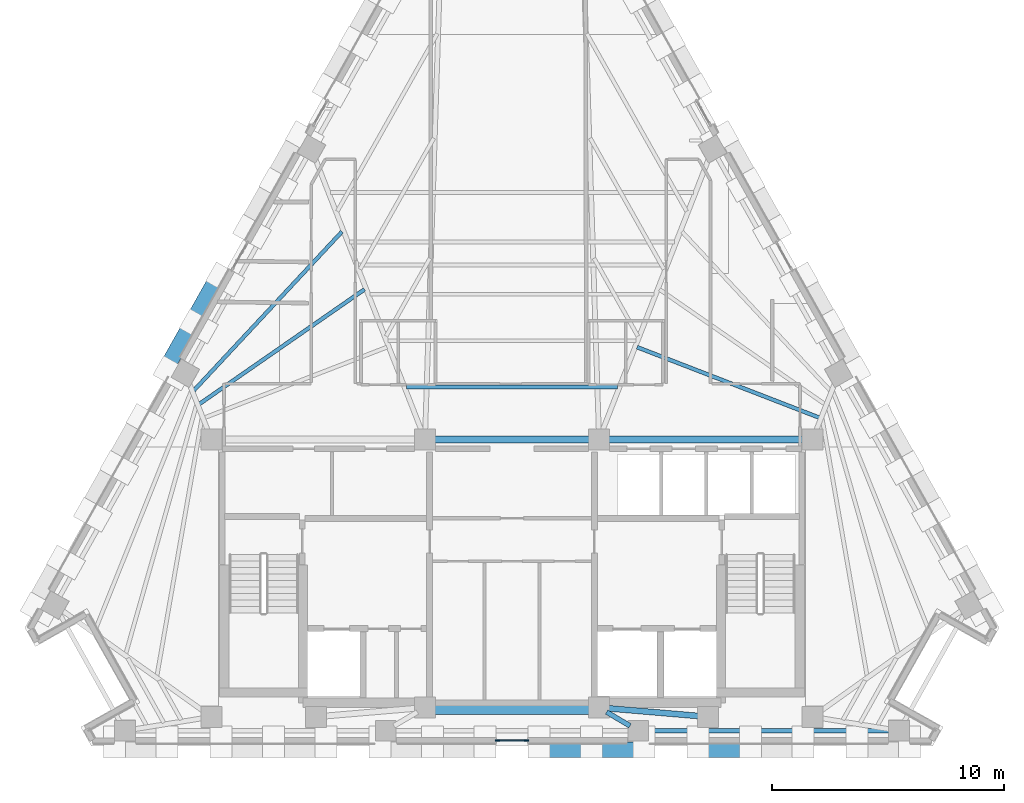
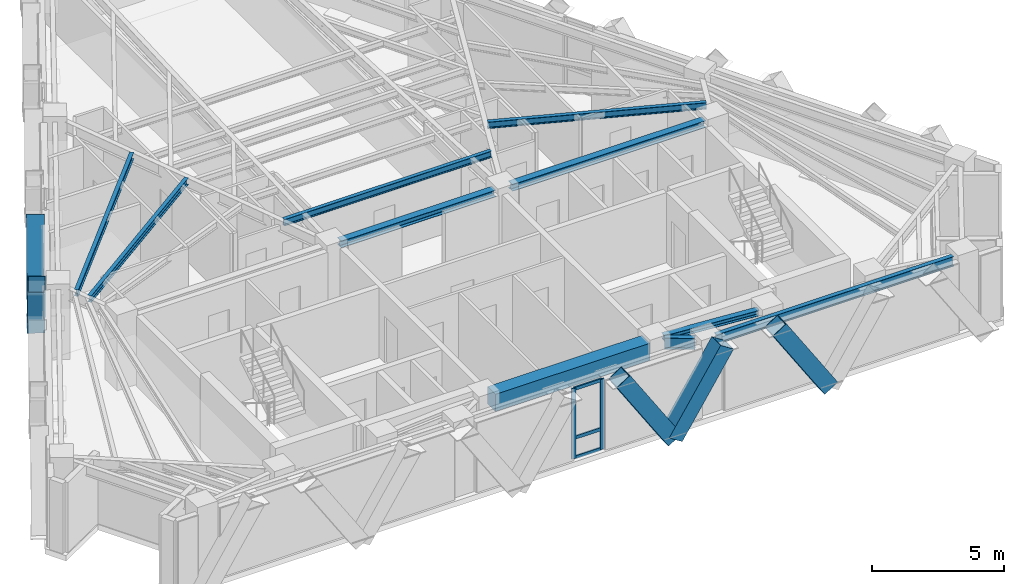
# One storey, part 2 of 12: 10 beams, 10 members, 1 element without a shape of its own.
"""IFC4 building model written with IfcOpenShell, lengths in metres."""

from ifc_helpers import new_model, si_unit, direction, frame, origin, origin_2d, place, context, subcontext, project, spatial, rectangle, hollow_rectangle, i_section, extrude, material, material_profile, profile_set, type_object, element, aggregate, save


model = new_model("IFC4")

# Units and contexts
model_context = context("Model", 3, precision=1e-05, world=origin(), true_north=direction((0.0, 1.0)))
body_context = subcontext(model_context, "Body", "Model", "MODEL_VIEW")
ifc_project = project(units=[si_unit("LENGTHUNIT", "METRE"), si_unit("AREAUNIT", "SQUARE_METRE"), si_unit("VOLUMEUNIT", "CUBIC_METRE"), si_unit("PLANEANGLEUNIT", "RADIAN"), si_unit("MASSUNIT", "GRAM", prefix="KILO")], contexts=[model_context])

# Site, building, storey
site_placement = place(None, origin())
site = spatial("IfcSite", under=ifc_project, at=site_placement, CompositionType="ELEMENT")
building_placement = place(site_placement, origin())
building = spatial("IfcBuilding", under=site, at=building_placement, Name="Quenlor Broadcast Tower", CompositionType="ELEMENT")
storey_placement = place(building_placement, frame((0.0, 0.0, 200.89990234375)))
storey = spatial("IfcBuildingStorey", under=building, at=storey_placement, Name="L55", CompositionType="ELEMENT", Elevation=200.89990234375)

# Curtain wall, members
ifc_material_1 = material(Name="Architectural Terracotta and Low-E Glazing", Category="masonry")
curtain_wall_type = type_object("IfcCurtainWallType", Name="Unitised Terracotta Curtain Wall System Z4", PredefinedType="NOTDEFINED", material=ifc_material_1)
curtain_wall_placement = place(storey_placement, origin())
curtain_wall = element("IfcCurtainWall", 1, at=curtain_wall_placement, inside=storey, type_object=curtain_wall_type, Name="L55 Curtain Wall CW4 (L55-S-G1)", PredefinedType="NOTDEFINED")
ifc_material_2 = material(Name="Aluminium 6063-T6", Category="aluminium")
ifc_material_profile_1 = material_profile(ifc_material_2, rectangle(XDim=0.068115234375, YDim=0.179931640625, at=origin_2d()))
ifc_profile_set_1 = profile_set([ifc_material_profile_1], Name="Aluminium 6063-T6 MULL68x180")
member_type_1 = type_object("IfcMemberType", Name="CW4 Aluminium Mullion MULL_CW4", PredefinedType="MULLION", material=ifc_profile_set_1)
member_1_placement = place(storey_placement, frame((0.62841796875, -17.77490234375, 0.0), z_axis=(0.0, 0.0, 1.0), x_axis=(0.0, -1.0, 0.0)))
member_1 = element("IfcMember", 2, at=member_1_placement, type_object=member_type_1, Name="CW4 mullion 1", PredefinedType="MULLION", context=body_context, shape_type="SweptSolid", body=[
    extrude(rectangle(XDim=0.068115234375, YDim=0.179931640625, at=origin_2d()), origin(), (0.0, 0.0, 1.0), 3.25),
])
member_2_placement = place(storey_placement, frame((-0.62841796875, -17.77490234375, 0.0), z_axis=(0.0, 0.0, 1.0), x_axis=(0.0, -1.0, 0.0)))
member_2 = element("IfcMember", 3, at=member_2_placement, type_object=member_type_1, Name="CW4 mullion 2", PredefinedType="MULLION", context=body_context, shape_type="SweptSolid", body=[
    extrude(rectangle(XDim=0.068115234375, YDim=0.179931640625, at=origin_2d()), origin(), (0.0, 0.0, 1.0), 3.25),
])
ifc_material_3 = material(Name="Aluminium 6063-T6", Category="aluminium")
ifc_material_profile_2 = material_profile(ifc_material_3, rectangle(XDim=0.068115234375, YDim=0.14990234375, at=origin_2d()))
ifc_profile_set_2 = profile_set([ifc_material_profile_2], Name="Aluminium 6063-T6 TRAN68x150")
member_type_2 = type_object("IfcMemberType", Name="CW4 Aluminium Transom TRAN_CW4", PredefinedType="USERDEFINED", material=ifc_profile_set_2)
member_3_placement = place(storey_placement, frame((0.59423828125, -17.77490234375, 0.0341796875), z_axis=(-1.0, 0.0, 0.0), x_axis=(0.0, -1.0, 0.0)))
member_3 = element("IfcMember", 4, at=member_3_placement, type_object=member_type_2, Name="CW4 transom 1.1", ObjectType="TRANSOM", PredefinedType="USERDEFINED", context=body_context, shape_type="SweptSolid", body=[
    extrude(rectangle(XDim=0.068115234375, YDim=0.14990234375, at=origin_2d()), origin(), (0.0, 0.0, 1.0), 1.1884765625),
])
member_4_placement = place(storey_placement, frame((0.59423828125, -17.77490234375, 0.9501953125), z_axis=(-1.0, 0.0, 0.0), x_axis=(0.0, -1.0, 0.0)))
member_4 = element("IfcMember", 5, at=member_4_placement, type_object=member_type_2, Name="CW4 transom 1.2", ObjectType="TRANSOM", PredefinedType="USERDEFINED", context=body_context, shape_type="SweptSolid", body=[
    extrude(rectangle(XDim=0.068115234375, YDim=0.14990234375, at=origin_2d()), origin(), (0.0, 0.0, 1.0), 1.1884765625),
])
member_5_placement = place(storey_placement, frame((0.59423828125, -17.77490234375, 3.216064453125), z_axis=(-1.0, 0.0, 0.0), x_axis=(0.0, -1.0, 0.0)))
member_5 = element("IfcMember", 6, at=member_5_placement, type_object=member_type_2, Name="CW4 transom 1.3", ObjectType="TRANSOM", PredefinedType="USERDEFINED", context=body_context, shape_type="SweptSolid", body=[
    extrude(rectangle(XDim=0.068115234375, YDim=0.14990234375, at=origin_2d()), origin(), (0.0, 0.0, 1.0), 1.1884765625),
])
aggregate(curtain_wall, [member_1, member_2, member_3, member_4, member_5])

# Beams
ifc_material_4 = material(Name="Concrete C50/60", Category="concrete")
ifc_material_profile_3 = material_profile(ifc_material_4, rectangle(XDim=0.60009765625, YDim=0.800048828125, at=origin_2d()))
ifc_profile_set_3 = profile_set([ifc_material_profile_3], Name="Concrete C50/60 RCB600x800")
beam_type_1 = type_object("IfcBeamType", Name="Core Coupling Beam Concrete C50/60 600x800", PredefinedType="BEAM", material=ifc_profile_set_3)
beam_1_placement = place(storey_placement, frame((-3.389892578125, -16.35009765625, 2.85009765625), z_axis=(1.0, 0.0, 0.0), x_axis=(0.0, 1.0, 0.0)))
element("IfcBeam", 7, at=beam_1_placement, inside=storey, type_object=beam_type_1, Name="L55 Core Coupling Beam 6", PredefinedType="BEAM", context=body_context, shape_type="SweptSolid", body=[
    extrude(rectangle(XDim=0.60009765625, YDim=0.800048828125, at=origin_2d()), origin(), (0.0, 0.0, 1.0), 6.77978515625),
])
ifc_material_5 = material(Name="Steel S355", Category="steel")
ifc_material_profile_4 = material_profile(ifc_material_5, i_section(OverallWidth=0.304931640625, OverallDepth=0.30810546875, WebThickness=0.010009765625, FlangeThickness=0.015380859375, FilletRadius=0.0166015625, at=origin_2d()))
ifc_profile_set_4 = profile_set([ifc_material_profile_4], Name="Steel S355 310UC96.8")
beam_type_2 = type_object("IfcBeamType", Name="Core Header Beam Steel S355 310UC96.8", PredefinedType="BEAM", material=ifc_profile_set_4)
beam_2_placement = place(storey_placement, frame((-3.389892578125, -4.800048828125, 3.09619140625), z_axis=(1.0, 0.0, 0.0), x_axis=(0.0, 1.0, 0.0)))
element("IfcBeam", 8, at=beam_2_placement, inside=storey, type_object=beam_type_2, Name="L55 Core Header Beam 2", PredefinedType="BEAM", context=body_context, shape_type="SweptSolid", body=[
    extrude(i_section(OverallWidth=0.304931640625, OverallDepth=0.30810546875, WebThickness=0.010009765625, FlangeThickness=0.015380859375, FilletRadius=0.0166015625, at=origin_2d()), origin(), (0.0, 0.0, 1.0), 6.77978515625),
])
ifc_material_6 = material(Name="Steel S355", Category="steel")
ifc_material_profile_5 = material_profile(ifc_material_6, i_section(OverallWidth=0.25390625, OverallDepth=0.25390625, WebThickness=0.008544921875, FlangeThickness=0.01416015625, FilletRadius=0.013916015625, at=origin_2d()))
ifc_profile_set_5 = profile_set([ifc_material_profile_5], Name="Steel S355 250UC72.9")
beam_type_3 = type_object("IfcBeamType", Name="Core Opening Lintel Beam Steel S355 250UC72.9", PredefinedType="LINTEL", material=ifc_profile_set_5)
beam_3_placement = place(storey_placement, frame((4.108642578125, -16.380615234375, 3.123291015625), z_axis=(0.996399763903, -0.084779186679, 0.0), x_axis=(0.084779186679, 0.996399763903, 0.0)))
element("IfcBeam", 9, at=beam_3_placement, inside=storey, type_object=beam_type_3, Name="L55 Core Opening Lintel Beam 5", PredefinedType="LINTEL", context=body_context, shape_type="SweptSolid", body=[
    extrude(i_section(OverallWidth=0.25390625, OverallDepth=0.25390625, WebThickness=0.008544921875, FlangeThickness=0.01416015625, FilletRadius=0.013916015625, at=origin_2d()), origin(), (0.0, 0.0, 1.0), 3.9970703125),
])
ifc_material_7 = material(Name="Steel S355", Category="steel")
ifc_material_profile_6 = material_profile(ifc_material_7, i_section(OverallWidth=0.306884765625, OverallDepth=0.314697265625, WebThickness=0.011962890625, FlangeThickness=0.018798828125, FilletRadius=0.0166015625, at=origin_2d()))
ifc_profile_set_6 = profile_set([ifc_material_profile_6], Name="Steel S355 310UC118")
beam_type_4 = type_object("IfcBeamType", Name="Core Tie Beam Steel S355 310UC118", PredefinedType="BEAM", material=ifc_profile_set_6)
beam_4_placement = place(storey_placement, frame((4.110107421875, -4.800048828125, 3.0927734375), z_axis=(1.0, 0.0, 0.0), x_axis=(0.0, 1.0, 0.0)))
element("IfcBeam", 10, at=beam_4_placement, inside=storey, type_object=beam_type_4, Name="L55 Core Tie Beam 3", PredefinedType="BEAM", context=body_context, shape_type="SweptSolid", body=[
    extrude(i_section(OverallWidth=0.306884765625, OverallDepth=0.314697265625, WebThickness=0.011962890625, FlangeThickness=0.018798828125, FilletRadius=0.0166015625, at=origin_2d()), origin(), (0.0, 0.0, 1.0), 8.47998046875),
])

# Members
ifc_material_8 = material(Name="Steel S355", Category="steel")
ifc_material_profile_7 = material_profile(ifc_material_8, hollow_rectangle(XDim=0.679931640625, YDim=0.679931640625, WallThickness=0.02490234375, at=origin_2d()))
ifc_profile_set_7 = profile_set([ifc_material_profile_7], Name="Steel S355 RHS680x680x25")
member_type_3 = type_object("IfcMemberType", Name="Perimeter Diagonal Lattice Brace Z3-Z4 Steel S355 RHS680x25", PredefinedType="BRACE", material=ifc_profile_set_7)
for number, where, z_axis, x_axis, name in (
    (11, (10.261962890625, -18.169921875, -0.119873046875), (-0.541794306908, 0.0, 0.840511111766), (0.0, -1.0, 0.0), "L55 Perimeter Diamond Lattice S-C2S"),
    (12, (3.43896484375, -18.169921875, -0.119873046875), (0.541794306908, 0.0, 0.840511111766), (0.0, 1.0, 0.0), "L55 Perimeter Diamond Lattice S-C2B"),
    (13, (3.41162109375, -18.169921875, -0.119873046875), (-0.541794306908, 0.0, 0.840511111766), (0.0, -1.0, 0.0), "L55 Perimeter Diamond Lattice S-C3S"),
):
    element("IfcMember", number, at=place(storey_placement, frame(where, z_axis=z_axis, x_axis=x_axis)), inside=storey, type_object=member_type_3, Name=name, PredefinedType="BRACE", context=body_context, shape_type="SweptSolid", body=[
        extrude(hollow_rectangle(XDim=0.679931640625, YDim=0.679931640625, WallThickness=0.02490234375, at=origin_2d()), origin(), (0.0, 0.0, 1.0), 4.1640625),
    ])
for number, where, z_axis, x_axis, name in (
    (14, (-13.794677734375, 0.22314453125, -0.119873046875), (-0.269485495908, -0.479188912076, 0.835317636614), (0.871620820774, -0.490180726664, 0.0), "L55 Perimeter Diamond Lattice NW-C2B"),
    (15, (-13.781005859375, 0.24755859375, -0.119873046875), (0.269547055694, 0.479136497832, 0.835327840559), (-0.871550060774, 0.49030652817, 0.0), "L55 Perimeter Diamond Lattice NW-C3S"),
):
    element("IfcMember", number, at=place(storey_placement, frame(where, z_axis=z_axis, x_axis=x_axis)), inside=storey, type_object=member_type_3, Name=name, PredefinedType="BRACE", context=body_context, shape_type="SweptSolid", body=[
        extrude(hollow_rectangle(XDim=0.679931640625, YDim=0.679931640625, WallThickness=0.02490234375, at=origin_2d()), origin(), (0.0, 0.0, 1.0), 4.18994140625),
    ])

# Beams
ifc_material_9 = material(Name="Steel S355", Category="steel")
ifc_material_profile_8 = material_profile(ifc_material_9, i_section(OverallWidth=0.18994140625, OverallDepth=0.453857421875, WebThickness=0.008544921875, FlangeThickness=0.0126953125, FilletRadius=0.011474609375, at=origin_2d()))
ifc_profile_set_8 = profile_set([ifc_material_profile_8], Name="Steel S355 460UB67.1")
beam_type_5 = type_object("IfcBeamType", Name="Perimeter Spandrel Beam Z4 Steel S355 460UB67.1", PredefinedType="SPANDREL", material=ifc_profile_set_8)
beam_5_placement = place(storey_placement, frame((5.847900390625, -17.35009765625, 3.023193359375), z_axis=(1.0, 0.0, 0.0), x_axis=(0.0, 1.0, 0.0)))
element("IfcBeam", 16, at=beam_5_placement, inside=storey, type_object=beam_type_5, Name="L55 Spandrel Beam S3-S4", PredefinedType="SPANDREL", context=body_context, shape_type="SweptSolid", body=[
    extrude(i_section(OverallWidth=0.18994140625, OverallDepth=0.453857421875, WebThickness=0.008544921875, FlangeThickness=0.0126953125, FilletRadius=0.011474609375, at=origin_2d()), origin(), (0.0, 0.0, 1.0), 10.41796875),
])
ifc_material_10 = material(Name="Steel S355", Category="steel")
ifc_material_profile_9 = material_profile(ifc_material_10, i_section(OverallWidth=0.166015625, OverallDepth=0.30712890625, WebThickness=0.006591796875, FlangeThickness=0.01171875, FilletRadius=0.011474609375, at=origin_2d()))
ifc_profile_set_9 = profile_set([ifc_material_profile_9], Name="Steel S355 310UB46.2")
beam_type_6 = type_object("IfcBeamType", Name="Tower Composite Joist Z4-Z5 Steel S355 310UB46.2", PredefinedType="JOIST", material=ifc_profile_set_9)
beam_6_placement = place(storey_placement, frame((-4.550048828125, -2.54736328125, 3.096435546875), z_axis=(1.0, 0.0, 0.0), x_axis=(0.0, 1.0, 0.0)))
element("IfcBeam", 17, at=beam_6_placement, inside=storey, type_object=beam_type_6, Name="L55 Secondary Composite Joist 1", PredefinedType="JOIST", context=body_context, shape_type="SweptSolid", body=[
    extrude(i_section(OverallWidth=0.166015625, OverallDepth=0.30712890625, WebThickness=0.006591796875, FlangeThickness=0.01171875, FilletRadius=0.011474609375, at=origin_2d()), origin(), (0.0, 0.0, 1.0), 9.10009765625),
])
beam_7_placement = place(storey_placement, frame((-13.470458984375, -3.273681640625, 3.096435546875), z_axis=(0.821539857981, 0.570151086773, 0.0), x_axis=(-0.570151086773, 0.821539857981, 0.0)))
element("IfcBeam", 18, at=beam_7_placement, inside=storey, type_object=beam_type_6, Name="L55 Secondary Composite Joist 8", PredefinedType="JOIST", context=body_context, shape_type="SweptSolid", body=[
    extrude(i_section(OverallWidth=0.166015625, OverallDepth=0.30712890625, WebThickness=0.006591796875, FlangeThickness=0.01171875, FilletRadius=0.011474609375, at=origin_2d()), origin(), (0.0, 0.0, 1.0), 8.656982421875),
])
beam_8_placement = place(storey_placement, frame((-13.707275390625, -2.691162109375, 3.096435546875), z_axis=(0.682034672805, 0.731319837754, 0.0), x_axis=(-0.731319837754, 0.682034672805, 0.0)))
element("IfcBeam", 19, at=beam_8_placement, inside=storey, type_object=beam_type_6, Name="L55 Secondary Composite Joist 9", PredefinedType="JOIST", context=body_context, shape_type="SweptSolid", body=[
    extrude(i_section(OverallWidth=0.166015625, OverallDepth=0.30712890625, WebThickness=0.006591796875, FlangeThickness=0.01171875, FilletRadius=0.011474609375, at=origin_2d()), origin(), (0.0, 0.0, 1.0), 9.357421875),
])
beam_9_placement = place(storey_placement, frame((13.236083984375, -3.85986328125, 3.096435546875), z_axis=(-0.932639299023, 0.360810113381, 0.0), x_axis=(-0.360810113381, -0.932639299023, 0.0)))
element("IfcBeam", 20, at=beam_9_placement, inside=storey, type_object=beam_type_6, Name="L55 Secondary Composite Joist 10", PredefinedType="JOIST", context=body_context, shape_type="SweptSolid", body=[
    extrude(i_section(OverallWidth=0.166015625, OverallDepth=0.30712890625, WebThickness=0.006591796875, FlangeThickness=0.01171875, FilletRadius=0.011474609375, at=origin_2d()), origin(), (0.0, 0.0, 1.0), 8.413330078125),
])
ifc_material_11 = material(Name="Steel S355", Category="steel")
ifc_material_profile_10 = material_profile(ifc_material_11, i_section(OverallWidth=0.208984375, OverallDepth=0.5283203125, WebThickness=0.009521484375, FlangeThickness=0.01318359375, FilletRadius=0.013916015625, at=origin_2d()))
ifc_profile_set_10 = profile_set([ifc_material_profile_10], Name="Steel S355 530UB82.0")
beam_type_7 = type_object("IfcBeamType", Name="Tower Primary Floor Beam Z4 Steel S355 530UB82.0", PredefinedType="BEAM", material=ifc_profile_set_10)
beam_10_placement = place(storey_placement, frame((5.085205078125, -17.14111328125, 2.986083984375), z_axis=(-0.86032875258, 0.509739578102, 0.0), x_axis=(-0.509739578102, -0.86032875258, 0.0)))
element("IfcBeam", 21, at=beam_10_placement, inside=storey, type_object=beam_type_7, Name="L55 Primary Radial Beam S3", PredefinedType="BEAM", context=body_context, shape_type="SweptSolid", body=[
    extrude(i_section(OverallWidth=0.208984375, OverallDepth=0.5283203125, WebThickness=0.009521484375, FlangeThickness=0.01318359375, FilletRadius=0.013916015625, at=origin_2d()), origin(), (0.0, 0.0, 1.0), 1.171875),
])

save(model, "model.ifc")
